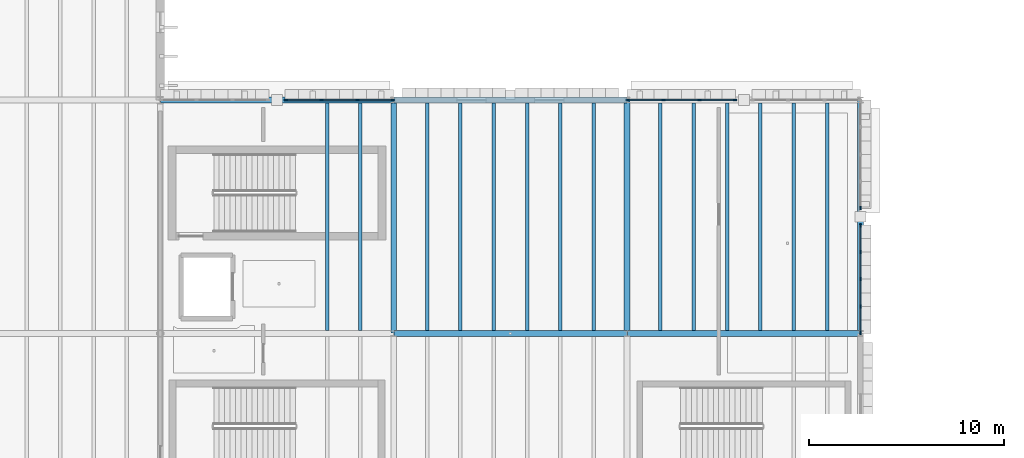
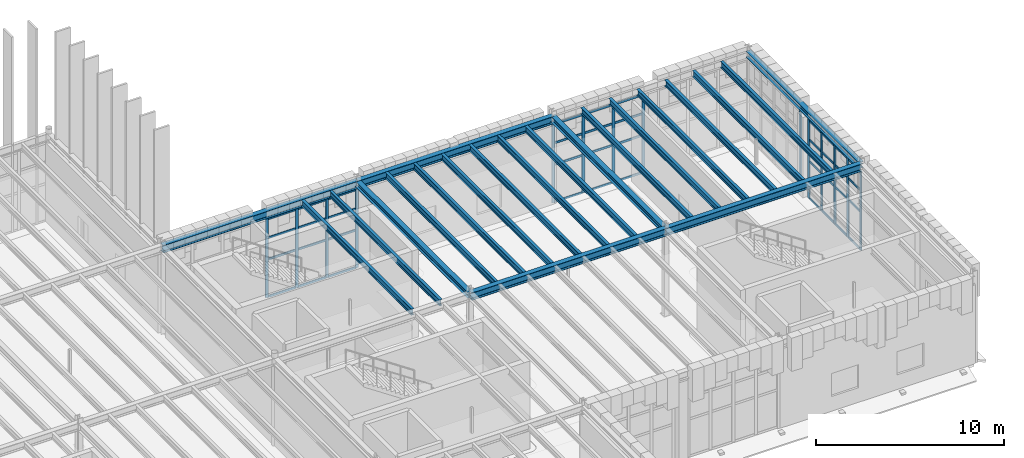
# One storey, part 33 of 83: 54 members, 21 beams, 4 elements without a shape of their own.
"""IFC4 building model written with IfcOpenShell, lengths in metres."""

from ifc_helpers import new_model, si_unit, direction, frame, origin, origin_2d, place, context, subcontext, project, spatial, rectangle, i_section, extrude, material, layer, layer_set, material_profile, profile_set, type_object, element, aggregate, save


model = new_model("IFC4")

# Units and contexts
model_context = context("Model", 3, precision=1e-05, world=origin(), true_north=direction((0.0, 1.0)))
body_context = subcontext(model_context, "Body", "Model", "MODEL_VIEW")
ifc_project = project(units=[si_unit("LENGTHUNIT", "METRE"), si_unit("AREAUNIT", "SQUARE_METRE"), si_unit("VOLUMEUNIT", "CUBIC_METRE"), si_unit("PLANEANGLEUNIT", "RADIAN"), si_unit("MASSUNIT", "GRAM", prefix="KILO")], contexts=[model_context])

# Site, building, storey
site_placement = place(None, origin())
site = spatial("IfcSite", under=ifc_project, at=site_placement, CompositionType="ELEMENT")
building_placement = place(site_placement, origin())
building = spatial("IfcBuilding", under=site, at=building_placement, Name="Zlatogorsky Bluff Art Gallery", CompositionType="ELEMENT")
storey_placement = place(building_placement, frame((0.0, 0.0, 10.800048828125)))
storey = spatial("IfcBuildingStorey", under=building, at=storey_placement, Name="L02", CompositionType="ELEMENT", Elevation=10.800048828125)

# Beams
ifc_material_1 = material(Name="Steel S355", Category="steel")
ifc_material_profile_1 = material_profile(ifc_material_1, i_section(OverallWidth=0.300048828125, OverallDepth=0.489990234375, WebThickness=0.011962890625, FlangeThickness=0.02294921875, FilletRadius=0.027099609375, at=origin_2d()), Name="HEA 500")
ifc_profile_set_1 = profile_set([ifc_material_profile_1], Name="Steel S355")
beam_type_1 = type_object("IfcBeamType", Name="Beam BM-07 HEA 500", PredefinedType="BEAM", material=ifc_profile_set_1)
for number, where, z_axis, x_axis, name in (
    (1, (120.014892578125, 108.0, 5.445068359375), (1.0, 0.0, 0.0), (0.0, 1.0, 0.0), "Primary girder BM-07 L02 L-M/11"),
    (2, (132.014892578125, 96.0, 5.445068359375), (1.0, 0.0, 0.0), (0.0, 1.0, 0.0), "Primary girder BM-07 L02 M-N/10"),
    (3, (132.014892578125, 108.0, 5.445068359375), (1.0, 0.0, 0.0), (0.0, 1.0, 0.0), "Primary girder BM-07 L02 M-N/11"),
    (4, (144.014892578125, 96.0, 5.445068359375), (1.0, 0.0, 0.0), (0.0, 1.0, 0.0), "Primary girder BM-07 L02 N-P/10"),
):
    element("IfcBeam", number, at=place(storey_placement, frame(where, z_axis=z_axis, x_axis=x_axis)), inside=storey, type_object=beam_type_1, Name=name, PredefinedType="BEAM", context=body_context, shape_type="SweptSolid", body=[
        extrude(i_section(OverallWidth=0.300048828125, OverallDepth=0.489990234375, WebThickness=0.011962890625, FlangeThickness=0.02294921875, FilletRadius=0.027099609375, at=origin_2d()), origin(), (0.0, 0.0, 1.0), 11.97021484375),
    ])
ifc_material_profile_2 = material_profile(ifc_material_1, i_section(OverallWidth=0.300048828125, OverallDepth=0.389892578125, WebThickness=0.010986328125, FlangeThickness=0.01904296875, FilletRadius=0.027099609375, at=origin_2d()), Name="HEA 400")
ifc_profile_set_2 = profile_set([ifc_material_profile_2], Name="Steel S355")
beam_type_2 = type_object("IfcBeamType", Name="Beam BM-09 HEA 400", PredefinedType="BEAM", material=ifc_profile_set_2)
for number, where, z_axis, x_axis, name in (
    (5, (132.0, 96.014892578125, 5.494873046875), (0.0, 1.0, 0.0), (-1.0, 0.0, 0.0), "Primary girder BM-09 L02 M/10-11"),
    (6, (144.0, 96.014892578125, 5.494873046875), (0.0, 1.0, 0.0), (-1.0, 0.0, 0.0), "Primary girder BM-09 L02 N/10-11"),
    (7, (156.0, 96.014892578125, 5.494873046875), (0.0, 1.0, 0.0), (-1.0, 0.0, 0.0), "Primary girder BM-09 L02 P/10-11"),
):
    element("IfcBeam", number, at=place(storey_placement, frame(where, z_axis=z_axis, x_axis=x_axis)), inside=storey, type_object=beam_type_2, Name=name, PredefinedType="BEAM", context=body_context, shape_type="SweptSolid", body=[
        extrude(i_section(OverallWidth=0.300048828125, OverallDepth=0.389892578125, WebThickness=0.010986328125, FlangeThickness=0.01904296875, FilletRadius=0.027099609375, at=origin_2d()), origin(), (0.0, 0.0, 1.0), 11.97021484375),
    ])
ifc_material_profile_3 = material_profile(ifc_material_1, i_section(OverallWidth=0.179931640625, OverallDepth=0.39990234375, WebThickness=0.008544921875, FlangeThickness=0.013427734375, FilletRadius=0.02099609375, at=origin_2d()), Name="IPE 400")
ifc_profile_set_3 = profile_set([ifc_material_profile_3], Name="Steel S355")
beam_type_3 = type_object("IfcBeamType", Name="Beam JS-05 IPE 400", PredefinedType="JOIST", material=ifc_profile_set_3)
for number, where, z_axis, x_axis, name in (
    (8, (128.571533203125, 96.14990234375, 5.489990234375), (0.0, 1.0, 0.0), (-1.0, 0.0, 0.0), "Composite floor joist JS-05 L02 10.09.5"),
    (9, (130.28564453125, 96.14990234375, 5.489990234375), (0.0, 1.0, 0.0), (-1.0, 0.0, 0.0), "Composite floor joist JS-05 L02 10.09.6"),
    (10, (133.71435546875, 96.14990234375, 5.489990234375), (0.0, 1.0, 0.0), (-1.0, 0.0, 0.0), "Composite floor joist JS-05 L02 11.09.1"),
    (11, (135.428466796875, 96.14990234375, 5.489990234375), (0.0, 1.0, 0.0), (-1.0, 0.0, 0.0), "Composite floor joist JS-05 L02 11.09.2"),
    (12, (137.142822265625, 96.14990234375, 5.489990234375), (0.0, 1.0, 0.0), (-1.0, 0.0, 0.0), "Composite floor joist JS-05 L02 11.09.3"),
    (13, (138.857177734375, 96.14990234375, 5.489990234375), (0.0, 1.0, 0.0), (-1.0, 0.0, 0.0), "Composite floor joist JS-05 L02 11.09.4"),
    (14, (140.571533203125, 96.14990234375, 5.489990234375), (0.0, 1.0, 0.0), (-1.0, 0.0, 0.0), "Composite floor joist JS-05 L02 11.09.5"),
    (15, (142.28564453125, 96.14990234375, 5.489990234375), (0.0, 1.0, 0.0), (-1.0, 0.0, 0.0), "Composite floor joist JS-05 L02 11.09.6"),
    (16, (145.71435546875, 96.14990234375, 5.489990234375), (0.0, 1.0, 0.0), (-1.0, 0.0, 0.0), "Composite floor joist JS-05 L02 12.09.1"),
    (17, (147.428466796875, 96.14990234375, 5.489990234375), (0.0, 1.0, 0.0), (-1.0, 0.0, 0.0), "Composite floor joist JS-05 L02 12.09.2"),
    (18, (149.142822265625, 96.14990234375, 5.489990234375), (0.0, 1.0, 0.0), (-1.0, 0.0, 0.0), "Composite floor joist JS-05 L02 12.09.3"),
    (19, (150.857177734375, 96.14990234375, 5.489990234375), (0.0, 1.0, 0.0), (-1.0, 0.0, 0.0), "Composite floor joist JS-05 L02 12.09.4"),
    (20, (152.571533203125, 96.14990234375, 5.489990234375), (0.0, 1.0, 0.0), (-1.0, 0.0, 0.0), "Composite floor joist JS-05 L02 12.09.5"),
    (21, (154.28564453125, 96.14990234375, 5.489990234375), (0.0, 1.0, 0.0), (-1.0, 0.0, 0.0), "Composite floor joist JS-05 L02 12.09.6"),
):
    element("IfcBeam", number, at=place(storey_placement, frame(where, z_axis=z_axis, x_axis=x_axis)), inside=storey, type_object=beam_type_3, Name=name, PredefinedType="JOIST", context=body_context, shape_type="SweptSolid", body=[
        extrude(i_section(OverallWidth=0.179931640625, OverallDepth=0.39990234375, WebThickness=0.008544921875, FlangeThickness=0.013427734375, FilletRadius=0.02099609375, at=origin_2d()), origin(), (0.0, 0.0, 1.0), 11.7001953125),
    ])

# Curtain wall, members
ifc_material_2 = material(Name="Anodised Bronze Aluminium and Low-Iron Triple Glazing", Category="aluminium")
ifc_layer_1 = layer(ifc_material_2, 0.219970703125)
ifc_layer_set_1 = layer_set([ifc_layer_1], Name="Curtain Wall CW-04")
curtain_wall_type_1 = type_object("IfcCurtainWallType", Name="Curtain Wall CW-04", PredefinedType="USERDEFINED", material=ifc_layer_set_1)
curtain_wall_1_placement = place(storey_placement, origin())
curtain_wall_1 = element("IfcCurtainWall", 22, at=curtain_wall_1_placement, inside=storey, type_object=curtain_wall_type_1, Name="Unitised curtain wall CW-04 L02 N 10.9-A", ObjectType="CURTAIN WALL", PredefinedType="USERDEFINED")
ifc_material_3 = material(Name="Anodised Bronze Aluminium", Category="aluminium")
ifc_material_profile_4 = material_profile(ifc_material_3, rectangle(XDim=0.06494140625, YDim=0.179931640625, at=origin_2d()), Name="ALU MULLION 65x180")
ifc_profile_set_4 = profile_set([ifc_material_profile_4], Name="Anodised Bronze Aluminium")
member_type_1 = type_object("IfcMemberType", Name="Curtain Mullion ML-01", PredefinedType="MULLION", material=ifc_profile_set_4)
member_1_placement = place(storey_placement, frame((131.967529296875, 108.0, 0.0), z_axis=(0.0, 0.0, 1.0), x_axis=(0.0, -1.0, 0.0)))
member_1 = element("IfcMember", 23, at=member_1_placement, type_object=member_type_1, Name="CW-04 mullion 1", PredefinedType="MULLION", context=body_context, shape_type="SweptSolid", body=[
    extrude(rectangle(XDim=0.06494140625, YDim=0.179931640625, at=origin_2d()), origin(), (0.0, 0.0, 1.0), 5.10986328125),
])
member_2_placement = place(storey_placement, frame((130.139892578125, 108.0, 0.0), z_axis=(0.0, 0.0, 1.0), x_axis=(0.0, -1.0, 0.0)))
member_2 = element("IfcMember", 24, at=member_2_placement, type_object=member_type_1, Name="CW-04 mullion 2", PredefinedType="MULLION", context=body_context, shape_type="SweptSolid", body=[
    extrude(rectangle(XDim=0.06494140625, YDim=0.179931640625, at=origin_2d()), origin(), (0.0, 0.0, 1.0), 5.10986328125),
])
member_3_placement = place(storey_placement, frame((128.280029296875, 108.0, 0.0), z_axis=(0.0, 0.0, 1.0), x_axis=(0.0, -1.0, 0.0)))
member_3 = element("IfcMember", 25, at=member_3_placement, type_object=member_type_1, Name="CW-04 mullion 3", PredefinedType="MULLION", context=body_context, shape_type="SweptSolid", body=[
    extrude(rectangle(XDim=0.06494140625, YDim=0.179931640625, at=origin_2d()), origin(), (0.0, 0.0, 1.0), 5.10986328125),
])
member_4_placement = place(storey_placement, frame((126.452392578125, 108.0, 0.0), z_axis=(0.0, 0.0, 1.0), x_axis=(0.0, -1.0, 0.0)))
member_4 = element("IfcMember", 26, at=member_4_placement, type_object=member_type_1, Name="CW-04 mullion 4", PredefinedType="MULLION", context=body_context, shape_type="SweptSolid", body=[
    extrude(rectangle(XDim=0.06494140625, YDim=0.179931640625, at=origin_2d()), origin(), (0.0, 0.0, 1.0), 5.10986328125),
])

curtain_wall_2_placement = place(storey_placement, origin())
curtain_wall_2 = element("IfcCurtainWall", 27, at=curtain_wall_2_placement, inside=storey, type_object=curtain_wall_type_1, Name="Unitised curtain wall CW-04 L02 N 12.9-B", ObjectType="CURTAIN WALL", PredefinedType="USERDEFINED")
member_5_placement = place(storey_placement, frame((149.547607421875, 108.0, 0.0), z_axis=(0.0, 0.0, 1.0), x_axis=(0.0, -1.0, 0.0)))
member_5 = element("IfcMember", 28, at=member_5_placement, type_object=member_type_1, Name="CW-04 mullion 1", PredefinedType="MULLION", context=body_context, shape_type="SweptSolid", body=[
    extrude(rectangle(XDim=0.06494140625, YDim=0.179931640625, at=origin_2d()), origin(), (0.0, 0.0, 1.0), 5.10986328125),
])
member_6_placement = place(storey_placement, frame((147.719970703125, 108.0, 0.0), z_axis=(0.0, 0.0, 1.0), x_axis=(0.0, -1.0, 0.0)))
member_6 = element("IfcMember", 29, at=member_6_placement, type_object=member_type_1, Name="CW-04 mullion 2", PredefinedType="MULLION", context=body_context, shape_type="SweptSolid", body=[
    extrude(rectangle(XDim=0.06494140625, YDim=0.179931640625, at=origin_2d()), origin(), (0.0, 0.0, 1.0), 5.10986328125),
])
member_7_placement = place(storey_placement, frame((145.860107421875, 108.0, 0.0), z_axis=(0.0, 0.0, 1.0), x_axis=(0.0, -1.0, 0.0)))
member_7 = element("IfcMember", 30, at=member_7_placement, type_object=member_type_1, Name="CW-04 mullion 3", PredefinedType="MULLION", context=body_context, shape_type="SweptSolid", body=[
    extrude(rectangle(XDim=0.06494140625, YDim=0.179931640625, at=origin_2d()), origin(), (0.0, 0.0, 1.0), 5.10986328125),
])
member_8_placement = place(storey_placement, frame((144.032470703125, 108.0, 0.0), z_axis=(0.0, 0.0, 1.0), x_axis=(0.0, -1.0, 0.0)))
member_8 = element("IfcMember", 31, at=member_8_placement, type_object=member_type_1, Name="CW-04 mullion 4", PredefinedType="MULLION", context=body_context, shape_type="SweptSolid", body=[
    extrude(rectangle(XDim=0.06494140625, YDim=0.179931640625, at=origin_2d()), origin(), (0.0, 0.0, 1.0), 5.10986328125),
])

ifc_layer_2 = layer(ifc_material_2, 0.199951171875)
ifc_layer_set_2 = layer_set([ifc_layer_2], Name="Curtain Wall CW-02")
curtain_wall_type_2 = type_object("IfcCurtainWallType", Name="Curtain Wall CW-02", PredefinedType="USERDEFINED", material=ifc_layer_set_2)
curtain_wall_3_placement = place(storey_placement, origin())
curtain_wall_3 = element("IfcCurtainWall", 32, at=curtain_wall_3_placement, inside=storey, type_object=curtain_wall_type_2, Name="Unitised curtain wall CW-02 L02 E 12.9-A", ObjectType="CURTAIN WALL", PredefinedType="USERDEFINED")
member_9_placement = place(storey_placement, frame((156.0, 96.032470703125, 0.0), z_axis=(0.0, 0.0, 1.0), x_axis=(-1.0, 0.0, 0.0)))
member_9 = element("IfcMember", 33, at=member_9_placement, type_object=member_type_1, Name="CW-02 mullion 1", PredefinedType="MULLION", context=body_context, shape_type="SweptSolid", body=[
    extrude(rectangle(XDim=0.06494140625, YDim=0.179931640625, at=origin_2d()), origin(), (0.0, 0.0, 1.0), 5.10986328125),
])
member_10_placement = place(storey_placement, frame((156.0, 97.39501953125, 0.0), z_axis=(0.0, 0.0, 1.0), x_axis=(-1.0, 0.0, 0.0)))
member_10 = element("IfcMember", 34, at=member_10_placement, type_object=member_type_1, Name="CW-02 mullion 2", PredefinedType="MULLION", context=body_context, shape_type="SweptSolid", body=[
    extrude(rectangle(XDim=0.06494140625, YDim=0.179931640625, at=origin_2d()), origin(), (0.0, 0.0, 1.0), 5.10986328125),
])
member_11_placement = place(storey_placement, frame((156.0, 98.7900390625, 0.0), z_axis=(0.0, 0.0, 1.0), x_axis=(-1.0, 0.0, 0.0)))
member_11 = element("IfcMember", 35, at=member_11_placement, type_object=member_type_1, Name="CW-02 mullion 3", PredefinedType="MULLION", context=body_context, shape_type="SweptSolid", body=[
    extrude(rectangle(XDim=0.06494140625, YDim=0.179931640625, at=origin_2d()), origin(), (0.0, 0.0, 1.0), 5.10986328125),
])
member_12_placement = place(storey_placement, frame((156.0, 100.18505859375, 0.0), z_axis=(0.0, 0.0, 1.0), x_axis=(-1.0, 0.0, 0.0)))
member_12 = element("IfcMember", 36, at=member_12_placement, type_object=member_type_1, Name="CW-02 mullion 4", PredefinedType="MULLION", context=body_context, shape_type="SweptSolid", body=[
    extrude(rectangle(XDim=0.06494140625, YDim=0.179931640625, at=origin_2d()), origin(), (0.0, 0.0, 1.0), 5.10986328125),
])
member_13_placement = place(storey_placement, frame((156.0, 101.547607421875, 0.0), z_axis=(0.0, 0.0, 1.0), x_axis=(-1.0, 0.0, 0.0)))
member_13 = element("IfcMember", 37, at=member_13_placement, type_object=member_type_1, Name="CW-02 mullion 5", PredefinedType="MULLION", context=body_context, shape_type="SweptSolid", body=[
    extrude(rectangle(XDim=0.06494140625, YDim=0.179931640625, at=origin_2d()), origin(), (0.0, 0.0, 1.0), 5.10986328125),
])

# Curtain wall, member
curtain_wall_4_placement = place(storey_placement, origin())
curtain_wall_4 = element("IfcCurtainWall", 38, at=curtain_wall_4_placement, inside=storey, type_object=curtain_wall_type_2, Name="Unitised curtain wall CW-02 L02 E 12.9-B", ObjectType="CURTAIN WALL", PredefinedType="USERDEFINED")
member_14_placement = place(storey_placement, frame((156.0, 102.452392578125, 0.0), z_axis=(0.0, 0.0, 1.0), x_axis=(-1.0, 0.0, 0.0)))
member_14 = element("IfcMember", 39, at=member_14_placement, type_object=member_type_1, Name="CW-02 mullion 1", PredefinedType="MULLION", context=body_context, shape_type="SweptSolid", body=[
    extrude(rectangle(XDim=0.06494140625, YDim=0.179931640625, at=origin_2d()), origin(), (0.0, 0.0, 1.0), 5.10986328125),
])
aggregate(curtain_wall_4, [member_14])

# Member
ifc_material_profile_5 = material_profile(ifc_material_3, rectangle(XDim=0.06494140625, YDim=0.139892578125, at=origin_2d()), Name="ALU TRANSOM 65x140")
ifc_profile_set_5 = profile_set([ifc_material_profile_5], Name="Anodised Bronze Aluminium")
member_type_2 = type_object("IfcMemberType", Name="Curtain Transom TR-01", PredefinedType="USERDEFINED", material=ifc_profile_set_5)
member_15_placement = place(storey_placement, frame((131.93505859375, 108.0, 0.032470703125), z_axis=(-1.0, 0.0, 0.0), x_axis=(0.0, -1.0, 0.0)))
member_15 = element("IfcMember", 40, at=member_15_placement, type_object=member_type_2, Name="CW-04 transom 1.1", ObjectType="TRANSOM", PredefinedType="USERDEFINED", context=body_context, shape_type="SweptSolid", body=[
    extrude(rectangle(XDim=0.06494140625, YDim=0.139892578125, at=origin_2d()), origin(), (0.0, 0.0, 1.0), 1.762451171875),
])

member_16_placement = place(storey_placement, frame((131.93505859375, 108.0, 2.449951171875), z_axis=(-1.0, 0.0, 0.0), x_axis=(0.0, -1.0, 0.0)))
member_16 = element("IfcMember", 41, at=member_16_placement, type_object=member_type_2, Name="CW-04 transom 1.2", ObjectType="TRANSOM", PredefinedType="USERDEFINED", context=body_context, shape_type="SweptSolid", body=[
    extrude(rectangle(XDim=0.06494140625, YDim=0.139892578125, at=origin_2d()), origin(), (0.0, 0.0, 1.0), 1.762451171875),
])

member_17_placement = place(storey_placement, frame((131.93505859375, 108.0, 3.849853515625), z_axis=(-1.0, 0.0, 0.0), x_axis=(0.0, -1.0, 0.0)))
member_17 = element("IfcMember", 42, at=member_17_placement, type_object=member_type_2, Name="CW-04 transom 1.3", ObjectType="TRANSOM", PredefinedType="USERDEFINED", context=body_context, shape_type="SweptSolid", body=[
    extrude(rectangle(XDim=0.06494140625, YDim=0.139892578125, at=origin_2d()), origin(), (0.0, 0.0, 1.0), 1.762451171875),
])

member_18_placement = place(storey_placement, frame((131.93505859375, 108.0, 5.077392578125), z_axis=(-1.0, 0.0, 0.0), x_axis=(0.0, -1.0, 0.0)))
member_18 = element("IfcMember", 43, at=member_18_placement, type_object=member_type_2, Name="CW-04 transom 1.4", ObjectType="TRANSOM", PredefinedType="USERDEFINED", context=body_context, shape_type="SweptSolid", body=[
    extrude(rectangle(XDim=0.06494140625, YDim=0.139892578125, at=origin_2d()), origin(), (0.0, 0.0, 1.0), 1.762451171875),
])

member_19_placement = place(storey_placement, frame((130.107421875, 108.0, 0.032470703125), z_axis=(-1.0, 0.0, 0.0), x_axis=(0.0, -1.0, 0.0)))
member_19 = element("IfcMember", 44, at=member_19_placement, type_object=member_type_2, Name="CW-04 transom 2.1", ObjectType="TRANSOM", PredefinedType="USERDEFINED", context=body_context, shape_type="SweptSolid", body=[
    extrude(rectangle(XDim=0.06494140625, YDim=0.139892578125, at=origin_2d()), origin(), (0.0, 0.0, 1.0), 1.794921875),
])

member_20_placement = place(storey_placement, frame((130.107421875, 108.0, 2.449951171875), z_axis=(-1.0, 0.0, 0.0), x_axis=(0.0, -1.0, 0.0)))
member_20 = element("IfcMember", 45, at=member_20_placement, type_object=member_type_2, Name="CW-04 transom 2.2", ObjectType="TRANSOM", PredefinedType="USERDEFINED", context=body_context, shape_type="SweptSolid", body=[
    extrude(rectangle(XDim=0.06494140625, YDim=0.139892578125, at=origin_2d()), origin(), (0.0, 0.0, 1.0), 1.794921875),
])

member_21_placement = place(storey_placement, frame((130.107421875, 108.0, 3.849853515625), z_axis=(-1.0, 0.0, 0.0), x_axis=(0.0, -1.0, 0.0)))
member_21 = element("IfcMember", 46, at=member_21_placement, type_object=member_type_2, Name="CW-04 transom 2.3", ObjectType="TRANSOM", PredefinedType="USERDEFINED", context=body_context, shape_type="SweptSolid", body=[
    extrude(rectangle(XDim=0.06494140625, YDim=0.139892578125, at=origin_2d()), origin(), (0.0, 0.0, 1.0), 1.794921875),
])

member_22_placement = place(storey_placement, frame((130.107421875, 108.0, 5.077392578125), z_axis=(-1.0, 0.0, 0.0), x_axis=(0.0, -1.0, 0.0)))
member_22 = element("IfcMember", 47, at=member_22_placement, type_object=member_type_2, Name="CW-04 transom 2.4", ObjectType="TRANSOM", PredefinedType="USERDEFINED", context=body_context, shape_type="SweptSolid", body=[
    extrude(rectangle(XDim=0.06494140625, YDim=0.139892578125, at=origin_2d()), origin(), (0.0, 0.0, 1.0), 1.794921875),
])

member_23_placement = place(storey_placement, frame((128.24755859375, 108.0, 0.032470703125), z_axis=(-1.0, 0.0, 0.0), x_axis=(0.0, -1.0, 0.0)))
member_23 = element("IfcMember", 48, at=member_23_placement, type_object=member_type_2, Name="CW-04 transom 3.1", ObjectType="TRANSOM", PredefinedType="USERDEFINED", context=body_context, shape_type="SweptSolid", body=[
    extrude(rectangle(XDim=0.06494140625, YDim=0.139892578125, at=origin_2d()), origin(), (0.0, 0.0, 1.0), 1.762451171875),
])

member_24_placement = place(storey_placement, frame((128.24755859375, 108.0, 2.449951171875), z_axis=(-1.0, 0.0, 0.0), x_axis=(0.0, -1.0, 0.0)))
member_24 = element("IfcMember", 49, at=member_24_placement, type_object=member_type_2, Name="CW-04 transom 3.2", ObjectType="TRANSOM", PredefinedType="USERDEFINED", context=body_context, shape_type="SweptSolid", body=[
    extrude(rectangle(XDim=0.06494140625, YDim=0.139892578125, at=origin_2d()), origin(), (0.0, 0.0, 1.0), 1.762451171875),
])

member_25_placement = place(storey_placement, frame((128.24755859375, 108.0, 3.849853515625), z_axis=(-1.0, 0.0, 0.0), x_axis=(0.0, -1.0, 0.0)))
member_25 = element("IfcMember", 50, at=member_25_placement, type_object=member_type_2, Name="CW-04 transom 3.3", ObjectType="TRANSOM", PredefinedType="USERDEFINED", context=body_context, shape_type="SweptSolid", body=[
    extrude(rectangle(XDim=0.06494140625, YDim=0.139892578125, at=origin_2d()), origin(), (0.0, 0.0, 1.0), 1.762451171875),
])

member_26_placement = place(storey_placement, frame((128.24755859375, 108.0, 5.077392578125), z_axis=(-1.0, 0.0, 0.0), x_axis=(0.0, -1.0, 0.0)))
member_26 = element("IfcMember", 51, at=member_26_placement, type_object=member_type_2, Name="CW-04 transom 3.4", ObjectType="TRANSOM", PredefinedType="USERDEFINED", context=body_context, shape_type="SweptSolid", body=[
    extrude(rectangle(XDim=0.06494140625, YDim=0.139892578125, at=origin_2d()), origin(), (0.0, 0.0, 1.0), 1.762451171875),
])

aggregate(curtain_wall_1, [member_1, member_2, member_3, member_4, member_15, member_16, member_17, member_18, member_19, member_20, member_21, member_22, member_23, member_24, member_25, member_26])

member_27_placement = place(storey_placement, frame((149.514892578125, 108.0, 0.032470703125), z_axis=(-1.0, 0.0, 0.0), x_axis=(0.0, -1.0, 0.0)))
member_27 = element("IfcMember", 52, at=member_27_placement, type_object=member_type_2, Name="CW-04 transom 1.1", ObjectType="TRANSOM", PredefinedType="USERDEFINED", context=body_context, shape_type="SweptSolid", body=[
    extrude(rectangle(XDim=0.06494140625, YDim=0.139892578125, at=origin_2d()), origin(), (0.0, 0.0, 1.0), 1.762451171875),
])

member_28_placement = place(storey_placement, frame((149.514892578125, 108.0, 2.449951171875), z_axis=(-1.0, 0.0, 0.0), x_axis=(0.0, -1.0, 0.0)))
member_28 = element("IfcMember", 53, at=member_28_placement, type_object=member_type_2, Name="CW-04 transom 1.2", ObjectType="TRANSOM", PredefinedType="USERDEFINED", context=body_context, shape_type="SweptSolid", body=[
    extrude(rectangle(XDim=0.06494140625, YDim=0.139892578125, at=origin_2d()), origin(), (0.0, 0.0, 1.0), 1.762451171875),
])

member_29_placement = place(storey_placement, frame((149.514892578125, 108.0, 3.849853515625), z_axis=(-1.0, 0.0, 0.0), x_axis=(0.0, -1.0, 0.0)))
member_29 = element("IfcMember", 54, at=member_29_placement, type_object=member_type_2, Name="CW-04 transom 1.3", ObjectType="TRANSOM", PredefinedType="USERDEFINED", context=body_context, shape_type="SweptSolid", body=[
    extrude(rectangle(XDim=0.06494140625, YDim=0.139892578125, at=origin_2d()), origin(), (0.0, 0.0, 1.0), 1.762451171875),
])

member_30_placement = place(storey_placement, frame((149.514892578125, 108.0, 5.077392578125), z_axis=(-1.0, 0.0, 0.0), x_axis=(0.0, -1.0, 0.0)))
member_30 = element("IfcMember", 55, at=member_30_placement, type_object=member_type_2, Name="CW-04 transom 1.4", ObjectType="TRANSOM", PredefinedType="USERDEFINED", context=body_context, shape_type="SweptSolid", body=[
    extrude(rectangle(XDim=0.06494140625, YDim=0.139892578125, at=origin_2d()), origin(), (0.0, 0.0, 1.0), 1.762451171875),
])

member_31_placement = place(storey_placement, frame((147.6875, 108.0, 0.032470703125), z_axis=(-1.0, 0.0, 0.0), x_axis=(0.0, -1.0, 0.0)))
member_31 = element("IfcMember", 56, at=member_31_placement, type_object=member_type_2, Name="CW-04 transom 2.1", ObjectType="TRANSOM", PredefinedType="USERDEFINED", context=body_context, shape_type="SweptSolid", body=[
    extrude(rectangle(XDim=0.06494140625, YDim=0.139892578125, at=origin_2d()), origin(), (0.0, 0.0, 1.0), 1.794921875),
])

member_32_placement = place(storey_placement, frame((147.6875, 108.0, 2.449951171875), z_axis=(-1.0, 0.0, 0.0), x_axis=(0.0, -1.0, 0.0)))
member_32 = element("IfcMember", 57, at=member_32_placement, type_object=member_type_2, Name="CW-04 transom 2.2", ObjectType="TRANSOM", PredefinedType="USERDEFINED", context=body_context, shape_type="SweptSolid", body=[
    extrude(rectangle(XDim=0.06494140625, YDim=0.139892578125, at=origin_2d()), origin(), (0.0, 0.0, 1.0), 1.794921875),
])

member_33_placement = place(storey_placement, frame((147.6875, 108.0, 3.849853515625), z_axis=(-1.0, 0.0, 0.0), x_axis=(0.0, -1.0, 0.0)))
member_33 = element("IfcMember", 58, at=member_33_placement, type_object=member_type_2, Name="CW-04 transom 2.3", ObjectType="TRANSOM", PredefinedType="USERDEFINED", context=body_context, shape_type="SweptSolid", body=[
    extrude(rectangle(XDim=0.06494140625, YDim=0.139892578125, at=origin_2d()), origin(), (0.0, 0.0, 1.0), 1.794921875),
])

member_34_placement = place(storey_placement, frame((147.6875, 108.0, 5.077392578125), z_axis=(-1.0, 0.0, 0.0), x_axis=(0.0, -1.0, 0.0)))
member_34 = element("IfcMember", 59, at=member_34_placement, type_object=member_type_2, Name="CW-04 transom 2.4", ObjectType="TRANSOM", PredefinedType="USERDEFINED", context=body_context, shape_type="SweptSolid", body=[
    extrude(rectangle(XDim=0.06494140625, YDim=0.139892578125, at=origin_2d()), origin(), (0.0, 0.0, 1.0), 1.794921875),
])

member_35_placement = place(storey_placement, frame((145.827392578125, 108.0, 0.032470703125), z_axis=(-1.0, 0.0, 0.0), x_axis=(0.0, -1.0, 0.0)))
member_35 = element("IfcMember", 60, at=member_35_placement, type_object=member_type_2, Name="CW-04 transom 3.1", ObjectType="TRANSOM", PredefinedType="USERDEFINED", context=body_context, shape_type="SweptSolid", body=[
    extrude(rectangle(XDim=0.06494140625, YDim=0.139892578125, at=origin_2d()), origin(), (0.0, 0.0, 1.0), 1.762451171875),
])

member_36_placement = place(storey_placement, frame((145.827392578125, 108.0, 2.449951171875), z_axis=(-1.0, 0.0, 0.0), x_axis=(0.0, -1.0, 0.0)))
member_36 = element("IfcMember", 61, at=member_36_placement, type_object=member_type_2, Name="CW-04 transom 3.2", ObjectType="TRANSOM", PredefinedType="USERDEFINED", context=body_context, shape_type="SweptSolid", body=[
    extrude(rectangle(XDim=0.06494140625, YDim=0.139892578125, at=origin_2d()), origin(), (0.0, 0.0, 1.0), 1.762451171875),
])

member_37_placement = place(storey_placement, frame((145.827392578125, 108.0, 3.849853515625), z_axis=(-1.0, 0.0, 0.0), x_axis=(0.0, -1.0, 0.0)))
member_37 = element("IfcMember", 62, at=member_37_placement, type_object=member_type_2, Name="CW-04 transom 3.3", ObjectType="TRANSOM", PredefinedType="USERDEFINED", context=body_context, shape_type="SweptSolid", body=[
    extrude(rectangle(XDim=0.06494140625, YDim=0.139892578125, at=origin_2d()), origin(), (0.0, 0.0, 1.0), 1.762451171875),
])

member_38_placement = place(storey_placement, frame((145.827392578125, 108.0, 5.077392578125), z_axis=(-1.0, 0.0, 0.0), x_axis=(0.0, -1.0, 0.0)))
member_38 = element("IfcMember", 63, at=member_38_placement, type_object=member_type_2, Name="CW-04 transom 3.4", ObjectType="TRANSOM", PredefinedType="USERDEFINED", context=body_context, shape_type="SweptSolid", body=[
    extrude(rectangle(XDim=0.06494140625, YDim=0.139892578125, at=origin_2d()), origin(), (0.0, 0.0, 1.0), 1.762451171875),
])

aggregate(curtain_wall_2, [member_5, member_6, member_7, member_8, member_27, member_28, member_29, member_30, member_31, member_32, member_33, member_34, member_35, member_36, member_37, member_38])

member_39_placement = place(storey_placement, frame((156.0, 96.06494140625, 0.032470703125), z_axis=(0.0, 1.0, 0.0), x_axis=(-1.0, 0.0, 0.0)))
member_39 = element("IfcMember", 64, at=member_39_placement, type_object=member_type_2, Name="CW-02 transom 1.1", ObjectType="TRANSOM", PredefinedType="USERDEFINED", context=body_context, shape_type="SweptSolid", body=[
    extrude(rectangle(XDim=0.06494140625, YDim=0.139892578125, at=origin_2d()), origin(), (0.0, 0.0, 1.0), 1.297607421875),
])

member_40_placement = place(storey_placement, frame((156.0, 96.06494140625, 2.449951171875), z_axis=(0.0, 1.0, 0.0), x_axis=(-1.0, 0.0, 0.0)))
member_40 = element("IfcMember", 65, at=member_40_placement, type_object=member_type_2, Name="CW-02 transom 1.2", ObjectType="TRANSOM", PredefinedType="USERDEFINED", context=body_context, shape_type="SweptSolid", body=[
    extrude(rectangle(XDim=0.06494140625, YDim=0.139892578125, at=origin_2d()), origin(), (0.0, 0.0, 1.0), 1.297607421875),
])

member_41_placement = place(storey_placement, frame((156.0, 96.06494140625, 3.849853515625), z_axis=(0.0, 1.0, 0.0), x_axis=(-1.0, 0.0, 0.0)))
member_41 = element("IfcMember", 66, at=member_41_placement, type_object=member_type_2, Name="CW-02 transom 1.3", ObjectType="TRANSOM", PredefinedType="USERDEFINED", context=body_context, shape_type="SweptSolid", body=[
    extrude(rectangle(XDim=0.06494140625, YDim=0.139892578125, at=origin_2d()), origin(), (0.0, 0.0, 1.0), 1.297607421875),
])

member_42_placement = place(storey_placement, frame((156.0, 96.06494140625, 5.077392578125), z_axis=(0.0, 1.0, 0.0), x_axis=(-1.0, 0.0, 0.0)))
member_42 = element("IfcMember", 67, at=member_42_placement, type_object=member_type_2, Name="CW-02 transom 1.4", ObjectType="TRANSOM", PredefinedType="USERDEFINED", context=body_context, shape_type="SweptSolid", body=[
    extrude(rectangle(XDim=0.06494140625, YDim=0.139892578125, at=origin_2d()), origin(), (0.0, 0.0, 1.0), 1.297607421875),
])

member_43_placement = place(storey_placement, frame((156.0, 97.427490234375, 0.032470703125), z_axis=(0.0, 1.0, 0.0), x_axis=(-1.0, 0.0, 0.0)))
member_43 = element("IfcMember", 68, at=member_43_placement, type_object=member_type_2, Name="CW-02 transom 2.1", ObjectType="TRANSOM", PredefinedType="USERDEFINED", context=body_context, shape_type="SweptSolid", body=[
    extrude(rectangle(XDim=0.06494140625, YDim=0.139892578125, at=origin_2d()), origin(), (0.0, 0.0, 1.0), 1.330078125),
])

member_44_placement = place(storey_placement, frame((156.0, 97.427490234375, 2.449951171875), z_axis=(0.0, 1.0, 0.0), x_axis=(-1.0, 0.0, 0.0)))
member_44 = element("IfcMember", 69, at=member_44_placement, type_object=member_type_2, Name="CW-02 transom 2.2", ObjectType="TRANSOM", PredefinedType="USERDEFINED", context=body_context, shape_type="SweptSolid", body=[
    extrude(rectangle(XDim=0.06494140625, YDim=0.139892578125, at=origin_2d()), origin(), (0.0, 0.0, 1.0), 1.330078125),
])

member_45_placement = place(storey_placement, frame((156.0, 97.427490234375, 3.849853515625), z_axis=(0.0, 1.0, 0.0), x_axis=(-1.0, 0.0, 0.0)))
member_45 = element("IfcMember", 70, at=member_45_placement, type_object=member_type_2, Name="CW-02 transom 2.3", ObjectType="TRANSOM", PredefinedType="USERDEFINED", context=body_context, shape_type="SweptSolid", body=[
    extrude(rectangle(XDim=0.06494140625, YDim=0.139892578125, at=origin_2d()), origin(), (0.0, 0.0, 1.0), 1.330078125),
])

member_46_placement = place(storey_placement, frame((156.0, 97.427490234375, 5.077392578125), z_axis=(0.0, 1.0, 0.0), x_axis=(-1.0, 0.0, 0.0)))
member_46 = element("IfcMember", 71, at=member_46_placement, type_object=member_type_2, Name="CW-02 transom 2.4", ObjectType="TRANSOM", PredefinedType="USERDEFINED", context=body_context, shape_type="SweptSolid", body=[
    extrude(rectangle(XDim=0.06494140625, YDim=0.139892578125, at=origin_2d()), origin(), (0.0, 0.0, 1.0), 1.330078125),
])

member_47_placement = place(storey_placement, frame((156.0, 98.822509765625, 0.032470703125), z_axis=(0.0, 1.0, 0.0), x_axis=(-1.0, 0.0, 0.0)))
member_47 = element("IfcMember", 72, at=member_47_placement, type_object=member_type_2, Name="CW-02 transom 3.1", ObjectType="TRANSOM", PredefinedType="USERDEFINED", context=body_context, shape_type="SweptSolid", body=[
    extrude(rectangle(XDim=0.06494140625, YDim=0.139892578125, at=origin_2d()), origin(), (0.0, 0.0, 1.0), 1.330078125),
])

member_48_placement = place(storey_placement, frame((156.0, 98.822509765625, 2.449951171875), z_axis=(0.0, 1.0, 0.0), x_axis=(-1.0, 0.0, 0.0)))
member_48 = element("IfcMember", 73, at=member_48_placement, type_object=member_type_2, Name="CW-02 transom 3.2", ObjectType="TRANSOM", PredefinedType="USERDEFINED", context=body_context, shape_type="SweptSolid", body=[
    extrude(rectangle(XDim=0.06494140625, YDim=0.139892578125, at=origin_2d()), origin(), (0.0, 0.0, 1.0), 1.330078125),
])

member_49_placement = place(storey_placement, frame((156.0, 98.822509765625, 3.849853515625), z_axis=(0.0, 1.0, 0.0), x_axis=(-1.0, 0.0, 0.0)))
member_49 = element("IfcMember", 74, at=member_49_placement, type_object=member_type_2, Name="CW-02 transom 3.3", ObjectType="TRANSOM", PredefinedType="USERDEFINED", context=body_context, shape_type="SweptSolid", body=[
    extrude(rectangle(XDim=0.06494140625, YDim=0.139892578125, at=origin_2d()), origin(), (0.0, 0.0, 1.0), 1.330078125),
])

member_50_placement = place(storey_placement, frame((156.0, 98.822509765625, 5.077392578125), z_axis=(0.0, 1.0, 0.0), x_axis=(-1.0, 0.0, 0.0)))
member_50 = element("IfcMember", 75, at=member_50_placement, type_object=member_type_2, Name="CW-02 transom 3.4", ObjectType="TRANSOM", PredefinedType="USERDEFINED", context=body_context, shape_type="SweptSolid", body=[
    extrude(rectangle(XDim=0.06494140625, YDim=0.139892578125, at=origin_2d()), origin(), (0.0, 0.0, 1.0), 1.330078125),
])

member_51_placement = place(storey_placement, frame((156.0, 100.217529296875, 0.032470703125), z_axis=(0.0, 1.0, 0.0), x_axis=(-1.0, 0.0, 0.0)))
member_51 = element("IfcMember", 76, at=member_51_placement, type_object=member_type_2, Name="CW-02 transom 4.1", ObjectType="TRANSOM", PredefinedType="USERDEFINED", context=body_context, shape_type="SweptSolid", body=[
    extrude(rectangle(XDim=0.06494140625, YDim=0.139892578125, at=origin_2d()), origin(), (0.0, 0.0, 1.0), 1.29736328125),
])

member_52_placement = place(storey_placement, frame((156.0, 100.217529296875, 2.449951171875), z_axis=(0.0, 1.0, 0.0), x_axis=(-1.0, 0.0, 0.0)))
member_52 = element("IfcMember", 77, at=member_52_placement, type_object=member_type_2, Name="CW-02 transom 4.2", ObjectType="TRANSOM", PredefinedType="USERDEFINED", context=body_context, shape_type="SweptSolid", body=[
    extrude(rectangle(XDim=0.06494140625, YDim=0.139892578125, at=origin_2d()), origin(), (0.0, 0.0, 1.0), 1.29736328125),
])

member_53_placement = place(storey_placement, frame((156.0, 100.217529296875, 3.849853515625), z_axis=(0.0, 1.0, 0.0), x_axis=(-1.0, 0.0, 0.0)))
member_53 = element("IfcMember", 78, at=member_53_placement, type_object=member_type_2, Name="CW-02 transom 4.3", ObjectType="TRANSOM", PredefinedType="USERDEFINED", context=body_context, shape_type="SweptSolid", body=[
    extrude(rectangle(XDim=0.06494140625, YDim=0.139892578125, at=origin_2d()), origin(), (0.0, 0.0, 1.0), 1.29736328125),
])

member_54_placement = place(storey_placement, frame((156.0, 100.217529296875, 5.077392578125), z_axis=(0.0, 1.0, 0.0), x_axis=(-1.0, 0.0, 0.0)))
member_54 = element("IfcMember", 79, at=member_54_placement, type_object=member_type_2, Name="CW-02 transom 4.4", ObjectType="TRANSOM", PredefinedType="USERDEFINED", context=body_context, shape_type="SweptSolid", body=[
    extrude(rectangle(XDim=0.06494140625, YDim=0.139892578125, at=origin_2d()), origin(), (0.0, 0.0, 1.0), 1.29736328125),
])

aggregate(curtain_wall_3, [member_9, member_10, member_11, member_12, member_13, member_39, member_40, member_41, member_42, member_43, member_44, member_45, member_46, member_47, member_48, member_49, member_50, member_51, member_52, member_53, member_54])

save(model, "model.ifc")
